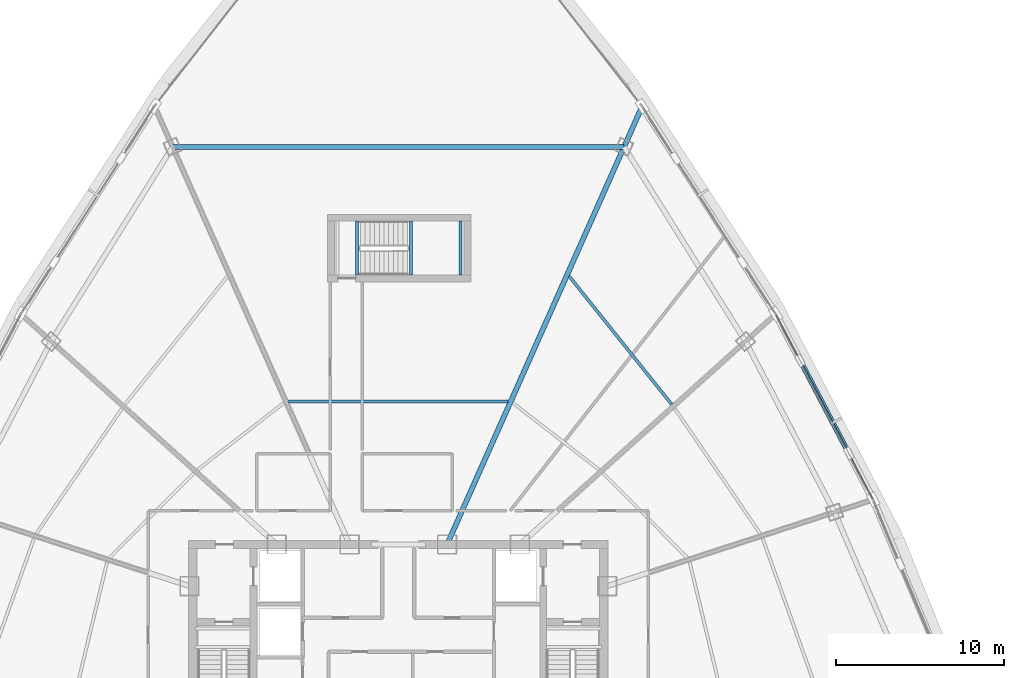
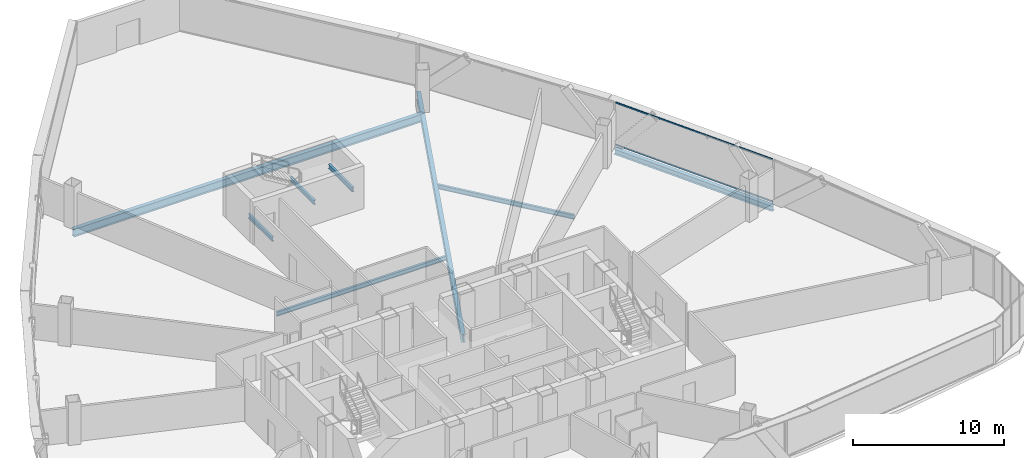
# One storey, part 20 of 37: 8 beams, 2 members, 1 element without a shape of its own.
"""IFC4 building model written with IfcOpenShell, lengths in metres."""

from ifc_helpers import new_model, si_unit, direction, frame, origin, origin_2d, place, context, subcontext, project, spatial, hollow_rectangle, i_section, extrude, source, transform, mapped, material, layer, layer_set, material_profile, profile_set, type_object, element, aggregate, save


model = new_model("IFC4")

# Units and contexts
model_context = context("Model", 3, precision=1e-05, world=origin(), true_north=direction((0.0, 1.0)))
body_context = subcontext(model_context, "Body", "Model", "MODEL_VIEW")
ifc_project = project(units=[si_unit("LENGTHUNIT", "METRE"), si_unit("AREAUNIT", "SQUARE_METRE"), si_unit("VOLUMEUNIT", "CUBIC_METRE"), si_unit("PLANEANGLEUNIT", "RADIAN"), si_unit("MASSUNIT", "GRAM", prefix="KILO"), si_unit("THERMODYNAMICTEMPERATUREUNIT", "KELVIN"), si_unit("POWERUNIT", "WATT")], contexts=[model_context])

# Site, building, storey
site_placement = place(None, origin())
site = spatial("IfcSite", under=ifc_project, at=site_placement, CompositionType="ELEMENT")
building_placement = place(site_placement, origin())
building = spatial("IfcBuilding", under=site, at=building_placement, Name="Yunzhuo Pagoda Commons", CompositionType="ELEMENT")
storey_placement = place(building_placement, frame((0.0, 0.0, 240.800048828125)))
storey = spatial("IfcBuildingStorey", under=building, at=storey_placement, Name="L60", CompositionType="ELEMENT", Elevation=240.800048828125)

# Beams
ifc_material_1 = material(Name="Structural steel Q355B", Category="steel")
ifc_material_profile_1 = material_profile(ifc_material_1, i_section(OverallWidth=0.175048828125, OverallDepth=0.35009765625, WebThickness=0.007080078125, FlangeThickness=0.010986328125, at=origin_2d()), Name="Structural steel Q355B")
ifc_profile_set_1 = profile_set([ifc_material_profile_1], Name="Structural steel Q355B")
beam_type_1 = type_object("IfcBeamType", Name="B-JS2 Joist HN 350x175x7x11", PredefinedType="JOIST", material=ifc_profile_set_1)
shared_shape_1 = source(origin(), body_context, "Body", "SweptSolid", [
    extrude(i_section(OverallWidth=0.175048828125, OverallDepth=0.35009765625, WebThickness=0.007080078125, FlangeThickness=0.010986328125, at=origin_2d()), origin(), (0.0, 0.0, 1.0), 3.199951171875),
])
for number, where, z_axis, x_axis, name in (
    (1, (48.75, 56.199951171875, 1.489990234375), (0.0, 1.0, 0.0), (-1.0, 0.0, 0.0), "L60 ST3 landing support beam 66A"),
    (2, (51.699951171875, 56.199951171875, 1.489990234375), (0.0, 1.0, 0.0), (-1.0, 0.0, 0.0), "L60 ST3 landing support beam 66B"),
    (3, (45.550048828125, 56.199951171875, -0.375), (0.0, 1.0, 0.0), (-1.0, 0.0, 0.0), "L60 ST3 landing support beam 134B"),
):
    element("IfcBeam", number, at=place(storey_placement, frame(where, z_axis=z_axis, x_axis=x_axis)), inside=storey, type_object=beam_type_1, Name=name, PredefinedType="JOIST", context=body_context, shape_type="MappedRepresentation", body=[
        mapped(shared_shape_1, transform((0.0, 0.0, 0.0), scale=1.0)),
    ])
ifc_material_profile_2 = material_profile(ifc_material_1, i_section(OverallWidth=0.300048828125, OverallDepth=0.64990234375, WebThickness=0.012939453125, FlangeThickness=0.02197265625, at=origin_2d()), Name="Structural steel Q355B")
ifc_profile_set_2 = profile_set([ifc_material_profile_2], Name="Structural steel Q355B")
beam_type_2 = type_object("IfcBeamType", Name="B-RG2 Beam HN 650x300x13x22", PredefinedType="BEAM", material=ifc_profile_set_2)
shared_shape_2 = source(origin(), body_context, "Body", "SweptSolid", [
    extrude(i_section(OverallWidth=0.300048828125, OverallDepth=0.64990234375, WebThickness=0.012939453125, FlangeThickness=0.02197265625, at=origin_2d()), origin(), (0.0, 0.0, 1.0), 26.8134765625),
])
beam_1_placement = place(storey_placement, frame((61.40673828125, 63.81201171875, -0.5849609375), z_axis=(-1.0, 0.0, 0.0), x_axis=(0.0, -1.0, 0.0)))
element("IfcBeam", 4, at=beam_1_placement, inside=storey, type_object=beam_type_2, Name="L60 column-ring beam 8", PredefinedType="BEAM", context=body_context, shape_type="MappedRepresentation", body=[
    mapped(shared_shape_2, transform((0.0, 0.0, 0.0), scale=1.0)),
])
shared_shape_3 = source(origin(), body_context, "Body", "SweptSolid", [
    extrude(i_section(OverallWidth=0.175048828125, OverallDepth=0.35009765625, WebThickness=0.007080078125, FlangeThickness=0.010986328125, at=origin_2d()), origin(), (0.0, 0.0, 1.0), 9.741455078125),
])
beam_2_placement = place(storey_placement, frame((64.226806640625, 48.5244140625, -0.43505859375), z_axis=(-0.624618636222, 0.780929932378, 0.0), x_axis=(-0.780929932378, -0.624618636222, 0.0)))
element("IfcBeam", 5, at=beam_2_placement, inside=storey, type_object=beam_type_1, Name="L60 composite ring joist 2.7", PredefinedType="JOIST", context=body_context, shape_type="MappedRepresentation", body=[
    mapped(shared_shape_3, transform((0.0, 0.0, 0.0), scale=1.0)),
])
shared_shape_4 = source(origin(), body_context, "Body", "SweptSolid", [
    extrude(i_section(OverallWidth=0.175048828125, OverallDepth=0.35009765625, WebThickness=0.007080078125, FlangeThickness=0.010986328125, at=origin_2d()), origin(), (0.0, 0.0, 1.0), 13.0390625),
])
beam_3_placement = place(storey_placement, frame((54.51953125, 48.7001953125, -0.43505859375), z_axis=(-1.0, 0.0, 0.0), x_axis=(0.0, -1.0, 0.0)))
element("IfcBeam", 6, at=beam_3_placement, inside=storey, type_object=beam_type_1, Name="L60 composite ring joist 1.8", PredefinedType="JOIST", context=body_context, shape_type="MappedRepresentation", body=[
    mapped(shared_shape_4, transform((0.0, 0.0, 0.0), scale=1.0)),
])
shared_shape_5 = source(origin(), body_context, "Body", "SweptSolid", [
    extrude(i_section(OverallWidth=0.300048828125, OverallDepth=0.64990234375, WebThickness=0.012939453125, FlangeThickness=0.02197265625, at=origin_2d()), origin(), (0.0, 0.0, 1.0), 28.330322265625),
])
beam_4_placement = place(storey_placement, frame((62.4169921875, 66.0810546875, -0.5849609375), z_axis=(-0.406734861617, -0.913546250797, 0.0), x_axis=(0.913546250797, -0.406734861617, 0.0)))
element("IfcBeam", 7, at=beam_4_placement, inside=storey, type_object=beam_type_2, Name="L60 radial floor girder F2C4", PredefinedType="BEAM", context=body_context, shape_type="MappedRepresentation", body=[
    mapped(shared_shape_5, transform((0.0, 0.0, 0.0), scale=1.0)),
])
ifc_material_profile_3 = material_profile(ifc_material_1, i_section(OverallWidth=0.300048828125, OverallDepth=0.43994140625, WebThickness=0.010986328125, FlangeThickness=0.01806640625, at=origin_2d()), Name="Structural steel Q355B")
ifc_profile_set_3 = profile_set([ifc_material_profile_3], Name="Structural steel Q355B")
beam_type_3 = type_object("IfcBeamType", Name="B-SP2 Beam HM 440x300x11x18", PredefinedType="BEAM", material=ifc_profile_set_3)
shared_shape_6 = source(origin(), body_context, "Body", "SweptSolid", [
    extrude(i_section(OverallWidth=0.300048828125, OverallDepth=0.43994140625, WebThickness=0.010986328125, FlangeThickness=0.01806640625, at=origin_2d()), origin(), (0.0, 0.0, 1.0), 12.4443359375),
])
beam_5_placement = place(storey_placement, frame((76.195556640625, 42.861083984375, -0.47998046875), z_axis=(-0.464783145673, 0.885424546474, 0.0), x_axis=(-0.885424546474, -0.464783145673, 0.0)))
element("IfcBeam", 8, at=beam_5_placement, inside=storey, type_object=beam_type_3, Name="L60 facade edge spandrel beam F2.2", PredefinedType="BEAM", context=body_context, shape_type="MappedRepresentation", body=[
    mapped(shared_shape_6, transform((0.0, 0.0, 0.0), scale=1.0)),
])

# Curtain wall, members
ifc_material_2 = material(Name="Anodized aluminium 6063-T6", Category="aluminium")
ifc_layer = layer(ifc_material_2, 0.139892578125)
ifc_layer_set = layer_set([ifc_layer], Name="Anodized aluminium 6063-T6")
curtain_wall_type = type_object("IfcCurtainWallType", Name="CW-HI High-Zone Ribbon Curtain Wall", PredefinedType="NOTDEFINED", material=ifc_layer_set)
curtain_wall_placement = place(storey_placement, origin())
curtain_wall = element("IfcCurtainWall", 9, at=curtain_wall_placement, inside=storey, type_object=curtain_wall_type, Name="L60 curtain wall CW-L60-F2B3", PredefinedType="NOTDEFINED")
ifc_material_profile_4 = material_profile(ifc_material_2, hollow_rectangle(XDim=0.054931640625, YDim=0.1201171875, WallThickness=0.00341796875, at=origin_2d()), Name="Anodized aluminium 6063-T6")
ifc_profile_set_4 = profile_set([ifc_material_profile_4], Name="Anodized aluminium 6063-T6")
member_type = type_object("IfcMemberType", Name="CW-HI-T Transom RHS 120x55x3.5", PredefinedType="USERDEFINED", material=ifc_profile_set_4)
shared_shape_7 = source(origin(), body_context, "Body", "SweptSolid", [
    extrude(hollow_rectangle(XDim=0.054931640625, YDim=0.1201171875, WallThickness=0.00341796875, at=origin_2d()), origin(), (0.0, 0.0, 1.0), 12.32421875),
])
member_1_placement = place(storey_placement, frame((76.167724609375, 42.914306640625, 0.02734375), z_axis=(-0.464781097507, 0.885425621608, 0.0), x_axis=(-0.885425621608, -0.464781097507, 0.0)))
member_1 = element("IfcMember", 10, at=member_1_placement, type_object=member_type, Name="CW transom 1.1", ObjectType="TRANSOM", PredefinedType="USERDEFINED", context=body_context, shape_type="MappedRepresentation", body=[
    mapped(shared_shape_7, transform((0.0, 0.0, 0.0), scale=1.0)),
])
member_2_placement = place(storey_placement, frame((76.167724609375, 42.914306640625, 3.4423828125), z_axis=(-0.464781097507, 0.885425621608, 0.0), x_axis=(-0.885425621608, -0.464781097507, 0.0)))
member_2 = element("IfcMember", 11, at=member_2_placement, type_object=member_type, Name="CW transom 1.2", ObjectType="TRANSOM", PredefinedType="USERDEFINED", context=body_context, shape_type="MappedRepresentation", body=[
    mapped(shared_shape_7, transform((0.0, 0.0, 0.0), scale=1.0)),
])
aggregate(curtain_wall, [member_1, member_2])

save(model, "model.ifc")
